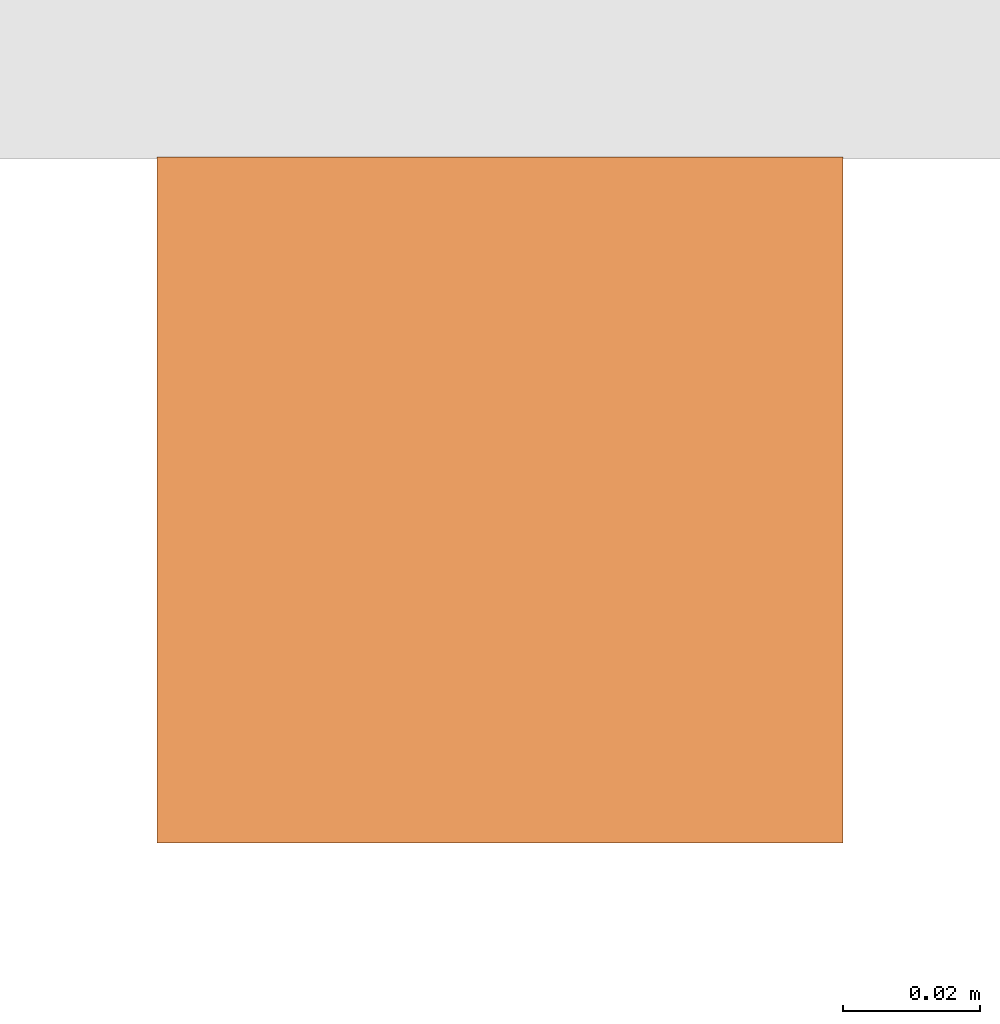
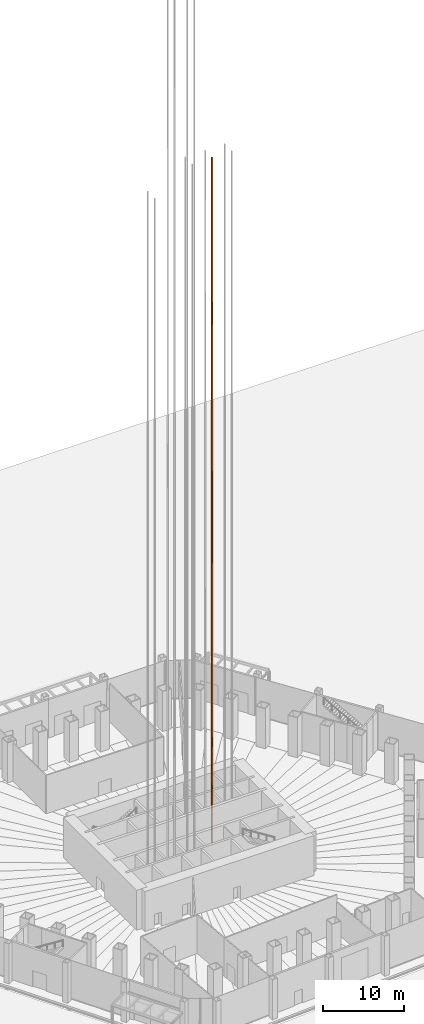
# One storey, part 42 of 45: 1 proxy.
"""IFC4 building model written with IfcOpenShell, lengths in metres."""

from ifc_helpers import new_model, si_unit, direction, frame, origin, origin_2d, place, context, subcontext, project, spatial, rectangle, extrude, material, type_object, element, save


model = new_model("IFC4")

# Units and contexts
model_context = context("Model", 3, precision=1e-05, world=origin(), true_north=direction((0.0, 1.0)))
body_context = subcontext(model_context, "Body", "Model", "MODEL_VIEW")
ifc_project = project(units=[si_unit("LENGTHUNIT", "METRE"), si_unit("AREAUNIT", "SQUARE_METRE"), si_unit("VOLUMEUNIT", "CUBIC_METRE"), si_unit("PLANEANGLEUNIT", "RADIAN"), si_unit("MASSUNIT", "GRAM", prefix="KILO")], contexts=[model_context])

# Site, building, storey
site_placement = place(None, origin())
site = spatial("IfcSite", under=ifc_project, at=site_placement, CompositionType="ELEMENT")
building_placement = place(site_placement, origin())
building = spatial("IfcBuilding", under=site, at=building_placement, Name="Qingtian Harvest Tower", CompositionType="ELEMENT")
storey_placement = place(building_placement, origin())
storey = spatial("IfcBuildingStorey", under=building, at=storey_placement, Name="L00", CompositionType="ELEMENT", Elevation=0.0)

# Proxy
ifc_material = material(Name="Steel SN490B", Category="steel")
building_element_proxy_type = type_object("IfcBuildingElementProxyType", Name="Lift guide rail LR1", PredefinedType="NOTDEFINED", material=ifc_material)
proxy_placement = place(storey_placement, frame((4.699951171875, 2.675048828125, 0.0), z_axis=(0.0, 0.0, 1.0), x_axis=(1.0, 0.0, 0.0)))
element("IfcBuildingElementProxy", 1, at=proxy_placement, inside=storey, type_object=building_element_proxy_type, Name="Lift PLA2 guide rail 1", PredefinedType="NOTDEFINED", context=body_context, shape_type="SweptSolid", body=[
    extrude(rectangle(XDim=0.10009765625, YDim=0.10009765625, at=origin_2d()), origin(), (0.0, 0.0, 1.0), 103.0),
])

save(model, "model.ifc")
